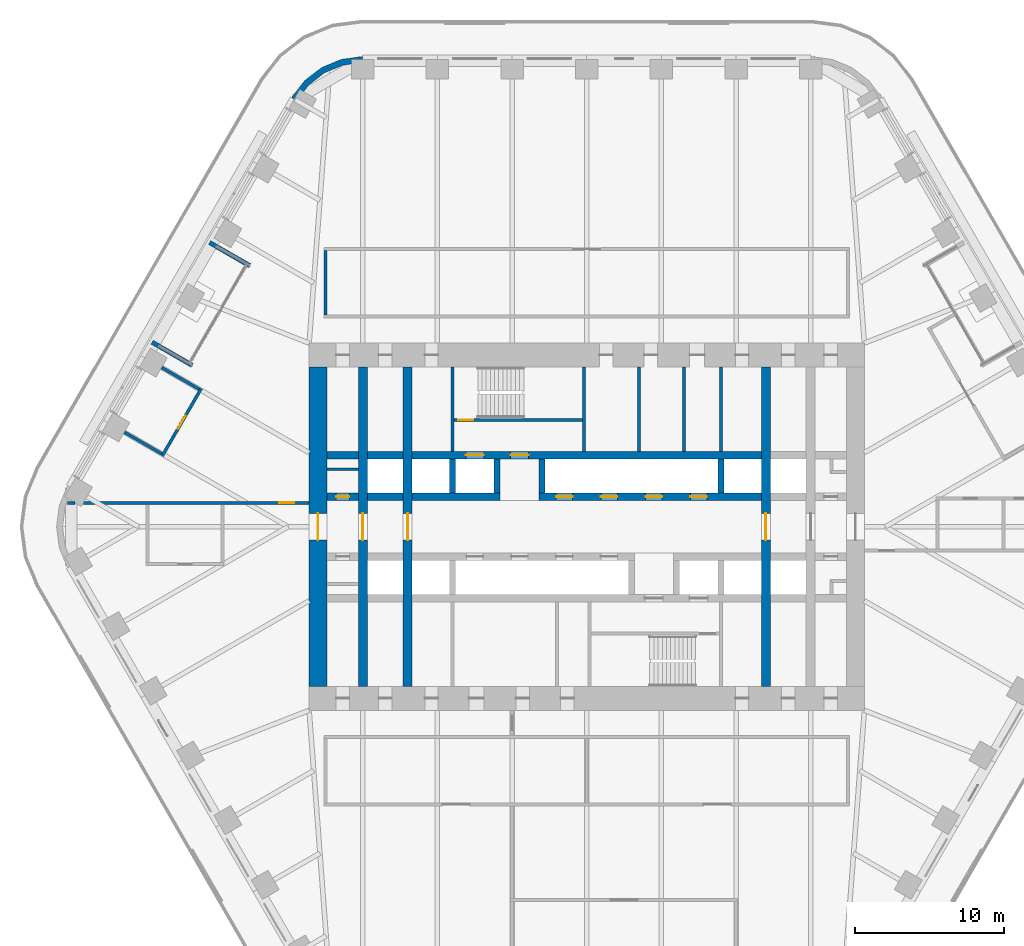
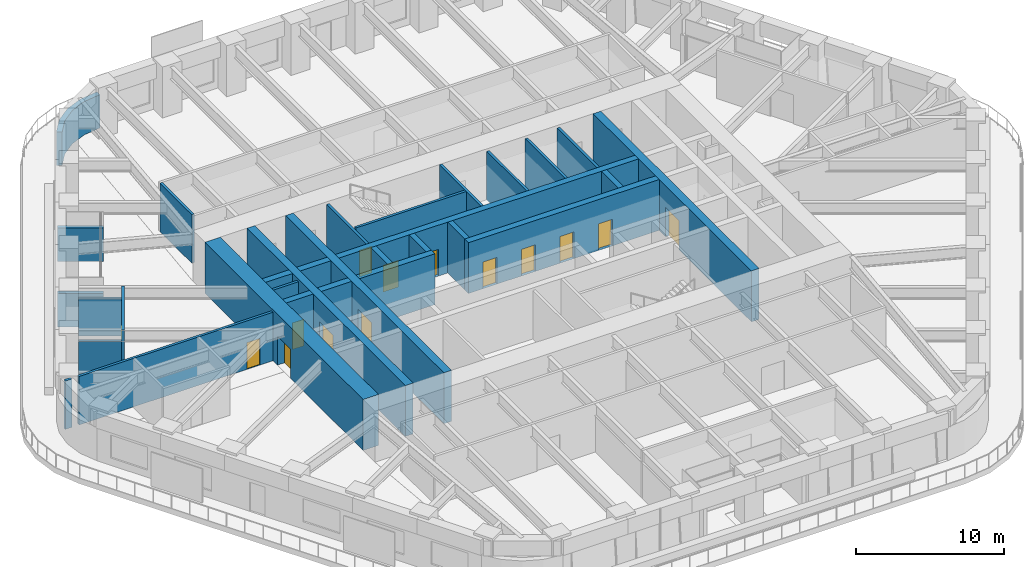
# One storey, part 19 of 24: 31 walls, 14 doors, 14 openings.
"""IFC4 building model written with IfcOpenShell, lengths in metres."""

from ifc_helpers import new_model, si_unit, direction, frame, frame_2d, origin, place, context, subcontext, project, spatial, polyline, rectangle, outline, extrude, material, layer, layer_set, type_object, element, fill, save


model = new_model("IFC4")

# Units and contexts
model_context = context("Model", 3, precision=1e-05, world=origin(), true_north=direction((0.0, 1.0)))
body_context = subcontext(model_context, "Body", "Model", "MODEL_VIEW")
ifc_project = project(units=[si_unit("LENGTHUNIT", "METRE"), si_unit("AREAUNIT", "SQUARE_METRE"), si_unit("VOLUMEUNIT", "CUBIC_METRE"), si_unit("PLANEANGLEUNIT", "RADIAN"), si_unit("MASSUNIT", "GRAM", prefix="KILO")], contexts=[model_context])

# Site, building, storey
site_placement = place(None, origin())
site = spatial("IfcSite", under=ifc_project, at=site_placement, CompositionType="ELEMENT")
building_placement = place(site_placement, origin())
building = spatial("IfcBuilding", under=site, at=building_placement, Name="Tarfa Lantern Tower", CompositionType="ELEMENT")
storey_placement = place(building_placement, frame((0.0, 0.0, 182.5)))
storey = spatial("IfcBuildingStorey", under=building, at=storey_placement, Name="L41", CompositionType="ELEMENT", Elevation=182.5)

# Walls
ifc_material_1 = material(Name="Limestone cladding on blockwork", Category="masonry")
ifc_layer_1 = layer(ifc_material_1, 0.300048828125)
ifc_layer_set_1 = layer_set([ifc_layer_1], Name="EW1 STONE-CLAD WALL 300")
wall_type_1 = type_object("IfcWallType", Name="EW1 STONE-CLAD WALL 300", PredefinedType="SOLIDWALL", material=ifc_layer_set_1)
wall_1_placement = place(storey_placement, frame((-25.266357421875, 19.037353515625, 0.0), z_axis=(0.0, 0.0, 1.0), x_axis=(0.86600983753, -0.500026960575, 0.0)))
element("IfcWall", 1, at=wall_1_placement, inside=storey, type_object=wall_type_1, Name="Loggia return NW 1", PredefinedType="SOLIDWALL", context=body_context, shape_type="SweptSolid", body=[
    extrude(rectangle(XDim=3.099853515625, YDim=0.300048828125, at=frame_2d((1.5498046875, 0.0))), origin(), (0.0, 0.0, 1.0), 2.75),
])
wall_2_placement = place(storey_placement, frame((-29.1201171875, 12.362548828125, 0.0), z_axis=(0.0, 0.0, 1.0), x_axis=(0.86602952684, -0.49999285859, 0.0)))
element("IfcWall", 2, at=wall_2_placement, inside=storey, type_object=wall_type_1, Name="Loggia return NW 2", PredefinedType="SOLIDWALL", context=body_context, shape_type="SweptSolid", body=[
    extrude(rectangle(XDim=3.10009765625, YDim=0.300048828125, at=frame_2d((1.550048828125, 0.0))), origin(), (0.0, 0.0, 1.0), 2.75),
])
ifc_layer_2 = layer(ifc_material_1, 0.39990234375)
ifc_layer_set_2 = layer_set([ifc_layer_2], Name="EW2 CURVED STONE CORNER 400")
wall_type_2 = type_object("IfcWallType", Name="EW2 CURVED STONE CORNER 400", PredefinedType="SOLIDWALL", material=ifc_layer_set_2)
wall_3_placement = place(storey_placement, origin())
element("IfcWall", 3, at=wall_3_placement, inside=storey, type_object=wall_type_2, Name="Stone corner N-NW", PredefinedType="SOLIDWALL", context=body_context, shape_type="SweptSolid", body=[
    extrude(outline(polyline([(-15.010986328125, 31.5), (-16.4345703125, 31.3125), (-17.760986328125, 30.76318359375), (-18.900146484375, 29.88916015625), (-19.774169921875, 28.75), (-19.427734375, 28.550048828125), (-18.617431640625, 29.606201171875), (-17.56103515625, 30.416748046875), (-16.3310546875, 30.92626953125), (-15.010986328125, 31.10009765625), (-15.010986328125, 31.5)])), origin(), (0.0, 0.0, 1.0), 2.75),
])
ifc_material_2 = material(Name="Concrete blockwork", Category="masonry")
ifc_layer_3 = layer(ifc_material_2, 0.199951171875)
ifc_layer_set_3 = layer_set([ifc_layer_3], Name="IW1 BLOCKWORK PARTITION 200 EI 120")
wall_type_3 = type_object("IfcWallType", Name="IW1 BLOCKWORK PARTITION 200 EI 120", PredefinedType="PARTITIONING", material=ifc_layer_set_3)
for number, where, z_axis, x_axis, name in (
    (4, (-9.0, 5.050048828125, 0.0), (0.0, 0.0, 1.0), (0.0, 1.0, 0.0), "Core partition"),
    (5, (9.0, 5.050048828125, 0.0), (0.0, 0.0, 1.0), (0.0, 1.0, 0.0), "Core partition"),
    (6, (3.5, 5.050048828125, 0.0), (0.0, 0.0, 1.0), (0.0, 1.0, 0.0), "Core partition"),
    (7, (6.5, 5.050048828125, 0.0), (0.0, 0.0, 1.0), (0.0, 1.0, 0.0), "Core partition"),
):
    element("IfcWall", number, at=place(storey_placement, frame(where, z_axis=z_axis, x_axis=x_axis)), inside=storey, type_object=wall_type_3, Name=name, PredefinedType="PARTITIONING", context=body_context, shape_type="SweptSolid", body=[
        extrude(rectangle(XDim=5.64990234375, YDim=0.199951171875, at=frame_2d((2.824951171875, 0.0))), origin(), (0.0, 0.0, 1.0), 4.0),
    ])
wall_4_placement = place(storey_placement, frame((-17.39990234375, 3.85009765625, 0.0), z_axis=(0.0, 0.0, 1.0), x_axis=(1.0, 0.0, 0.0)))
element("IfcWall", 8, at=wall_4_placement, inside=storey, type_object=wall_type_3, Name="Core partition", PredefinedType="PARTITIONING", context=body_context, shape_type="SweptSolid", body=[
    extrude(rectangle(XDim=2.099853515625, YDim=0.199951171875, at=frame_2d((1.0498046875, 0.0))), origin(), (0.0, 0.0, 1.0), 4.0),
])
ifc_material_3 = material(Name="Gypsum board on steel studs", Category="steel")
ifc_layer_4 = layer(ifc_material_3, 0.2099609375)
ifc_layer_set_4 = layer_set([ifc_layer_4], Name="IW2 ACOUSTIC PARTITION 200")
wall_type_4 = type_object("IfcWallType", Name="IW2 ACOUSTIC PARTITION 200", PredefinedType="PARTITIONING", material=ifc_layer_set_4)
wall_5_placement = place(storey_placement, frame((-17.5, 14.199951171875, 0.0), z_axis=(0.0, 0.0, 1.0), x_axis=(0.0, 1.0, 0.0)))
element("IfcWall", 9, at=wall_5_placement, inside=storey, type_object=wall_type_4, Name="Partition", PredefinedType="PARTITIONING", context=body_context, shape_type="SweptSolid", body=[
    extrude(rectangle(XDim=4.300048828125, YDim=0.199951171875, at=frame_2d((2.14990234375, 0.0))), origin(), (0.0, 0.0, 1.0), 4.0),
])

# Wall, opening, door
wall_6_placement = place(storey_placement, frame((-25.83447265625, 9.253173828125, 0.0), z_axis=(0.0, 0.0, 1.0), x_axis=(-0.500009456303, -0.866019944116, 0.0)))
wall_6 = element("IfcWall", 10, at=wall_6_placement, inside=storey, type_object=wall_type_4, Name="Partition", PredefinedType="PARTITIONING", context=body_context, shape_type="SweptSolid", body=[
    extrude(rectangle(XDim=5.20361328125, YDim=0.199951171875, at=frame_2d((2.601806640625, 0.0))), origin(), (0.0, 0.0, 1.0), 4.0),
])
opening_1_placement = place(wall_6_placement, frame((2.101806640625, 0.0, 0.0)))
opening_1 = element("IfcOpeningElement", 11, at=opening_1_placement, cuts=wall_6, Name="Opening D34", PredefinedType="OPENING", context=body_context, shape_type="SweptSolid", body=[
    extrude(rectangle(XDim=1.0, YDim=2.199951171875, at=frame_2d((0.5, 1.10009765625))), frame((0.0, 0.10986328125, 0.0), z_axis=(0.0, -1.0, 0.0), x_axis=(1.0, 0.0, 0.0)), (0.0, 0.0, 1.0), 0.219970703125),
])
ifc_material_4 = material(Name="Timber door", Category="wood")
door_type_1 = type_object("IfcDoorType", Name="DR1 ROOM DOOR 1000x2200", OperationType="SINGLE_SWING_LEFT", PredefinedType="DOOR", material=ifc_material_4)
door_1_placement = place(opening_1_placement, frame((1.0, 0.0, 0.0), z_axis=(0.0, 0.0, 1.0), x_axis=(-1.0, 0.0, 0.0)))
door_1 = element("IfcDoor", 12, at=door_1_placement, inside=storey, type_object=door_type_1, Name="Brand studio door", OperationType="SINGLE_SWING_RIGHT", OverallHeight=2.199951171875, OverallWidth=1.0, PredefinedType="DOOR", context=body_context, shape_type="SweptSolid", body=[
    extrude(rectangle(XDim=1.0, YDim=2.199951171875, at=frame_2d((0.5, 1.10009765625))), frame((0.0, 0.02490234375, 0.0), z_axis=(0.0, -1.0, 0.0), x_axis=(1.0, 0.0, 0.0)), (0.0, 0.0, 1.0), 0.050048828125),
])
fill(opening_1, door_1)

# Walls
wall_7_placement = place(storey_placement, frame((-25.97119140625, 9.216552734375, 0.0), z_axis=(0.0, 0.0, 1.0), x_axis=(-0.865996321171, 0.50005036918, 0.0)))
element("IfcWall", 13, at=wall_7_placement, inside=storey, type_object=wall_type_4, Name="Partition", PredefinedType="PARTITIONING", context=body_context, shape_type="SweptSolid", body=[
    extrude(rectangle(XDim=2.900146484375, YDim=0.199951171875, at=frame_2d((1.4501953125, 0.0))), origin(), (0.0, 0.0, 1.0), 3.08154296875),
])
wall_8_placement = place(storey_placement, frame((-28.472900390625, 4.88330078125, 0.0), z_axis=(0.0, 0.0, 1.0), x_axis=(-0.866032775405, 0.499987231761, 0.0)))
element("IfcWall", 14, at=wall_8_placement, inside=storey, type_object=wall_type_4, Name="Partition", PredefinedType="PARTITIONING", context=body_context, shape_type="SweptSolid", body=[
    extrude(rectangle(XDim=2.89990234375, YDim=0.199951171875, at=frame_2d((1.449951171875, 0.0))), origin(), (0.0, 0.0, 1.0), 3.08154296875),
])

# Wall, opening, door
wall_9_placement = place(storey_placement, frame((-18.60009765625, 1.60009765625, 0.0), z_axis=(0.0, 0.0, 1.0), x_axis=(-1.0, 0.0, 0.0)))
wall_9 = element("IfcWall", 15, at=wall_9_placement, inside=storey, type_object=wall_type_4, Name="Partition", PredefinedType="PARTITIONING", context=body_context, shape_type="SweptSolid", body=[
    extrude(rectangle(XDim=15.1171875, YDim=0.199951171875, at=frame_2d((7.55859375, 0.0))), origin(), (0.0, 0.0, 1.0), 4.0),
])
opening_2_placement = place(wall_9_placement, frame((1.01171875, 0.0, 0.0)))
opening_2 = element("IfcOpeningElement", 16, at=opening_2_placement, cuts=wall_9, Name="Opening D44", PredefinedType="OPENING", context=body_context, shape_type="SweptSolid", body=[
    extrude(rectangle(XDim=1.0, YDim=2.199951171875, at=frame_2d((0.5, 1.10009765625))), frame((0.0, 0.10986328125, 0.0), z_axis=(0.0, -1.0, 0.0), x_axis=(1.0, 0.0, 0.0)), (0.0, 0.0, 1.0), 0.219970703125),
])
door_2_placement = place(opening_2_placement, origin())
door_2 = element("IfcDoor", 17, at=door_2_placement, inside=storey, type_object=door_type_1, Name="Zone door", OperationType="SINGLE_SWING_RIGHT", OverallHeight=2.199951171875, OverallWidth=1.0, PredefinedType="DOOR", context=body_context, shape_type="SweptSolid", body=[
    extrude(rectangle(XDim=1.0, YDim=2.199951171875, at=frame_2d((0.5, 1.10009765625))), frame((0.0, 0.02490234375, 0.0), z_axis=(0.0, -1.0, 0.0), x_axis=(1.0, 0.0, 0.0)), (0.0, 0.0, 1.0), 0.050048828125),
])
fill(opening_2, door_2)

# Wall
wall_10_placement = place(storey_placement, frame((-34.29345703125, 1.60009765625, 0.0), z_axis=(0.0, 0.0, 1.0), x_axis=(-1.0, 0.0, 0.0)))
element("IfcWall", 18, at=wall_10_placement, inside=storey, type_object=wall_type_4, Name="Partition", PredefinedType="PARTITIONING", context=body_context, shape_type="SweptSolid", body=[
    extrude(rectangle(XDim=0.497802734375, YDim=0.199951171875, at=frame_2d((0.2490234375, 0.0))), origin(), (0.0, 0.0, 1.0), 4.0),
])

# Wall, opening, door
ifc_material_5 = material(Name="Concrete C80/95", Category="concrete")
ifc_layer_5 = layer(ifc_material_5, 1.199951171875)
ifc_layer_set_5 = layer_set([ifc_layer_5], Name="SW1 CORE WALL 1200")
wall_type_5 = type_object("IfcWallType", Name="SW1 CORE WALL 1200", PredefinedType="SHEAR", material=ifc_layer_set_5)
wall_11_placement = place(storey_placement, frame((-18.0, 10.699951171875, 0.0), z_axis=(0.0, 0.0, 1.0), x_axis=(0.0, -1.0, 0.0)))
wall_11 = element("IfcWall", 19, at=wall_11_placement, inside=storey, type_object=wall_type_5, Name="Core wall W", PredefinedType="SHEAR", context=body_context, shape_type="SweptSolid", body=[
    extrude(rectangle(XDim=21.39990234375, YDim=1.199951171875, at=frame_2d((10.699951171875, 0.0))), origin(), (0.0, 0.0, 1.0), 4.199951171875),
])
opening_3_placement = place(wall_11_placement, frame((9.800048828125, 0.0, 0.0)))
opening_3 = element("IfcOpeningElement", 20, at=opening_3_placement, cuts=wall_11, Name="Opening D16", PredefinedType="OPENING", context=body_context, shape_type="SweptSolid", body=[
    extrude(rectangle(XDim=1.800048828125, YDim=2.39990234375, at=frame_2d((0.89990234375, 1.199951171875))), frame((0.0, 0.60986328125, 0.0), z_axis=(0.0, -1.0, 0.0), x_axis=(1.0, 0.0, 0.0)), (0.0, 0.0, 1.0), 1.219970703125),
])
ifc_material_6 = material(Name="Steel fire door", Category="steel")
door_type_2 = type_object("IfcDoorType", Name="DL1 LOBBY DOOR 1800x2400", OperationType="DOUBLE_DOOR_SINGLE_SWING", PredefinedType="DOOR", material=ifc_material_6)
door_3_placement = place(opening_3_placement, frame((1.800048828125, 0.0, 0.0), z_axis=(0.0, 0.0, 1.0), x_axis=(-1.0, 0.0, 0.0)))
door_3 = element("IfcDoor", 21, at=door_3_placement, inside=storey, type_object=door_type_2, Name="Lift lobby door", OperationType="DOUBLE_DOOR_SINGLE_SWING", OverallHeight=2.39990234375, OverallWidth=1.800048828125, PredefinedType="DOOR", context=body_context, shape_type="SweptSolid", body=[
    extrude(rectangle(XDim=1.800048828125, YDim=2.39990234375, at=frame_2d((0.89990234375, 1.199951171875))), frame((0.0, 0.02490234375, 0.0), z_axis=(0.0, -1.0, 0.0), x_axis=(1.0, 0.0, 0.0)), (0.0, 0.0, 1.0), 0.050048828125),
])
fill(opening_3, door_3)

# Wall
ifc_layer_6 = layer(ifc_material_5, 0.199951171875)
ifc_layer_set_6 = layer_set([ifc_layer_6], Name="SW12 CORE WALL 200")
wall_type_6 = type_object("IfcWallType", Name="SW12 CORE WALL 200", PredefinedType="SHEAR", material=ifc_layer_set_6)
wall_12_placement = place(storey_placement, frame((-0.199951171875, 5.050048828125, 0.0), z_axis=(0.0, 0.0, 1.0), x_axis=(0.0, 1.0, 0.0)))
element("IfcWall", 22, at=wall_12_placement, inside=storey, type_object=wall_type_6, Name="Core wall stair shaft N", PredefinedType="SHEAR", context=body_context, shape_type="SweptSolid", body=[
    extrude(rectangle(XDim=5.64990234375, YDim=0.199951171875, at=frame_2d((2.824951171875, 0.0))), origin(), (0.0, 0.0, 1.0), 4.199951171875),
])

# Wall, opening, door
wall_13_placement = place(storey_placement, frame((-8.89990234375, 7.14990234375, 0.0), z_axis=(0.0, 0.0, 1.0), x_axis=(1.0, 0.0, 0.0)))
wall_13 = element("IfcWall", 23, at=wall_13_placement, inside=storey, type_object=wall_type_6, Name="Core wall stair partition N", PredefinedType="SHEAR", context=body_context, shape_type="SweptSolid", body=[
    extrude(rectangle(XDim=8.599853515625, YDim=0.199951171875, at=frame_2d((4.2998046875, 0.0))), origin(), (0.0, 0.0, 1.0), 4.199951171875),
])
opening_4_placement = place(wall_13_placement, frame((0.300048828125, 0.0, 0.0)))
opening_4 = element("IfcOpeningElement", 24, at=opening_4_placement, cuts=wall_13, Name="Opening D27", PredefinedType="OPENING", context=body_context, shape_type="SweptSolid", body=[
    extrude(rectangle(XDim=1.0, YDim=2.199951171875, at=frame_2d((0.5, 1.10009765625))), frame((0.0, 0.10986328125, 0.0), z_axis=(0.0, -1.0, 0.0), x_axis=(1.0, 0.0, 0.0)), (0.0, 0.0, 1.0), 0.219970703125),
])
door_type_3 = type_object("IfcDoorType", Name="DF2 STAIR DOOR 1000x2200", OperationType="SINGLE_SWING_LEFT", PredefinedType="DOOR", material=ifc_material_6)
door_4_placement = place(opening_4_placement, origin())
door_4 = element("IfcDoor", 25, at=door_4_placement, inside=storey, type_object=door_type_3, Name="Stair door", OperationType="SINGLE_SWING_RIGHT", OverallHeight=2.199951171875, OverallWidth=1.0, PredefinedType="DOOR", context=body_context, shape_type="SweptSolid", body=[
    extrude(rectangle(XDim=1.0, YDim=2.199951171875, at=frame_2d((0.5, 1.10009765625))), frame((0.0, 0.02490234375, 0.0), z_axis=(0.0, -1.0, 0.0), x_axis=(1.0, 0.0, 0.0)), (0.0, 0.0, 1.0), 0.050048828125),
])
fill(opening_4, door_4)

ifc_layer_7 = layer(ifc_material_5, 0.5)
ifc_layer_set_7 = layer_set([ifc_layer_7], Name="SW5 CORE WALL 500")
wall_type_7 = type_object("IfcWallType", Name="SW5 CORE WALL 500", PredefinedType="SHEAR", material=ifc_layer_set_7)
wall_14_placement = place(storey_placement, frame((-17.39990234375, 2.0, 0.0), z_axis=(0.0, 0.0, 1.0), x_axis=(1.0, 0.0, 0.0)))
wall_14 = element("IfcWall", 26, at=wall_14_placement, inside=storey, type_object=wall_type_7, Name="Core wall lobby west N", PredefinedType="SHEAR", context=body_context, shape_type="SweptSolid", body=[
    extrude(rectangle(XDim=2.099853515625, YDim=0.5, at=frame_2d((1.0498046875, 0.0))), origin(), (0.0, 0.0, 1.0), 4.199951171875),
])
opening_5_placement = place(wall_14_placement, frame((0.60009765625, 0.0, 0.0)))
opening_5 = element("IfcOpeningElement", 27, at=opening_5_placement, cuts=wall_14, Name="Opening D19", PredefinedType="OPENING", context=body_context, shape_type="SweptSolid", body=[
    extrude(rectangle(XDim=0.89990234375, YDim=2.199951171875, at=frame_2d((0.449951171875, 1.10009765625))), frame((0.0, 0.260009765625, 0.0), z_axis=(0.0, -1.0, 0.0), x_axis=(1.0, 0.0, 0.0)), (0.0, 0.0, 1.0), 0.52001953125),
])
door_type_4 = type_object("IfcDoorType", Name="DF6 SERVICE ROOM DOOR 900x2200", OperationType="SINGLE_SWING_LEFT", PredefinedType="DOOR", material=ifc_material_6)
door_5_placement = place(opening_5_placement, origin())
door_5 = element("IfcDoor", 28, at=door_5_placement, inside=storey, type_object=door_type_4, Name="Service room door", OperationType="SINGLE_SWING_LEFT", OverallHeight=2.199951171875, OverallWidth=0.89990234375, PredefinedType="DOOR", context=body_context, shape_type="SweptSolid", body=[
    extrude(rectangle(XDim=0.89990234375, YDim=2.199951171875, at=frame_2d((0.449951171875, 1.10009765625))), frame((0.0, 0.02490234375, 0.0), z_axis=(0.0, -1.0, 0.0), x_axis=(1.0, 0.0, 0.0)), (0.0, 0.0, 1.0), 0.050048828125),
])
fill(opening_5, door_5)

# Walls
wall_15_placement = place(storey_placement, frame((-14.699951171875, 2.0, 0.0), z_axis=(0.0, 0.0, 1.0), x_axis=(1.0, 0.0, 0.0)))
element("IfcWall", 29, at=wall_15_placement, inside=storey, type_object=wall_type_7, Name="Core wall lobby west N", PredefinedType="SHEAR", context=body_context, shape_type="SweptSolid", body=[
    extrude(rectangle(XDim=2.39990234375, YDim=0.5, at=frame_2d((1.199951171875, 0.0))), origin(), (0.0, 0.0, 1.0), 4.199951171875),
])
wall_16_placement = place(storey_placement, frame((-11.699951171875, 2.0, 0.0), z_axis=(0.0, 0.0, 1.0), x_axis=(1.0, 0.0, 0.0)))
element("IfcWall", 30, at=wall_16_placement, inside=storey, type_object=wall_type_7, Name="Core wall lobby west N", PredefinedType="SHEAR", context=body_context, shape_type="SweptSolid", body=[
    extrude(rectangle(XDim=5.89990234375, YDim=0.5, at=frame_2d((2.949951171875, 0.0))), origin(), (0.0, 0.0, 1.0), 4.199951171875),
])

# Wall, openings, doors
wall_17_placement = place(storey_placement, frame((-3.199951171875, 2.0, 0.0), z_axis=(0.0, 0.0, 1.0), x_axis=(1.0, 0.0, 0.0)))
wall_17 = element("IfcWall", 31, at=wall_17_placement, inside=storey, type_object=wall_type_7, Name="Core wall lobby east N", PredefinedType="SHEAR", context=body_context, shape_type="SweptSolid", body=[
    extrude(rectangle(XDim=14.89990234375, YDim=0.5, at=frame_2d((7.449951171875, 0.0))), origin(), (0.0, 0.0, 1.0), 4.199951171875),
])
opening_6_placement = place(wall_17_placement, frame((1.14990234375, 0.0, 0.0)))
opening_6 = element("IfcOpeningElement", 32, at=opening_6_placement, cuts=wall_17, Name="Opening LD03", PredefinedType="OPENING", context=body_context, shape_type="SweptSolid", body=[
    extrude(rectangle(XDim=1.10009765625, YDim=2.199951171875, at=frame_2d((0.550048828125, 1.10009765625))), frame((0.0, 0.260009765625, 0.0), z_axis=(0.0, -1.0, 0.0), x_axis=(1.0, 0.0, 0.0)), (0.0, 0.0, 1.0), 0.52001953125),
])
opening_7_placement = place(wall_17_placement, frame((4.14990234375, 0.0, 0.0)))
opening_7 = element("IfcOpeningElement", 33, at=opening_7_placement, cuts=wall_17, Name="Opening LD04", PredefinedType="OPENING", context=body_context, shape_type="SweptSolid", body=[
    extrude(rectangle(XDim=1.10009765625, YDim=2.199951171875, at=frame_2d((0.550048828125, 1.10009765625))), frame((0.0, 0.260009765625, 0.0), z_axis=(0.0, -1.0, 0.0), x_axis=(1.0, 0.0, 0.0)), (0.0, 0.0, 1.0), 0.52001953125),
])
opening_8_placement = place(wall_17_placement, frame((7.14990234375, 0.0, 0.0)))
opening_8 = element("IfcOpeningElement", 34, at=opening_8_placement, cuts=wall_17, Name="Opening LD05", PredefinedType="OPENING", context=body_context, shape_type="SweptSolid", body=[
    extrude(rectangle(XDim=1.10009765625, YDim=2.199951171875, at=frame_2d((0.550048828125, 1.10009765625))), frame((0.0, 0.260009765625, 0.0), z_axis=(0.0, -1.0, 0.0), x_axis=(1.0, 0.0, 0.0)), (0.0, 0.0, 1.0), 0.52001953125),
])
opening_9_placement = place(wall_17_placement, frame((10.14990234375, 0.0, 0.0)))
opening_9 = element("IfcOpeningElement", 35, at=opening_9_placement, cuts=wall_17, Name="Opening LD06", PredefinedType="OPENING", context=body_context, shape_type="SweptSolid", body=[
    extrude(rectangle(XDim=1.10009765625, YDim=2.199951171875, at=frame_2d((0.550048828125, 1.10009765625))), frame((0.0, 0.260009765625, 0.0), z_axis=(0.0, -1.0, 0.0), x_axis=(1.0, 0.0, 0.0)), (0.0, 0.0, 1.0), 0.52001953125),
])
ifc_material_7 = material(Name="Stainless steel lift door", Category="steel")
door_type_5 = type_object("IfcDoorType", Name="LD2 LIFT LANDING DOOR 1100x2200", OperationType="SLIDING_TO_LEFT", PredefinedType="DOOR", material=ifc_material_7)
door_6_placement = place(opening_6_placement, frame((1.10009765625, 0.0, 0.0), z_axis=(0.0, 0.0, 1.0), x_axis=(-1.0, 0.0, 0.0)))
door_6 = element("IfcDoor", 36, at=door_6_placement, inside=storey, type_object=door_type_5, Name="Landing door PB1", OperationType="SLIDING_TO_LEFT", OverallHeight=2.199951171875, OverallWidth=1.10009765625, PredefinedType="DOOR", context=body_context, shape_type="SweptSolid", body=[
    extrude(rectangle(XDim=1.10009765625, YDim=2.199951171875, at=frame_2d((0.550048828125, 1.10009765625))), frame((0.0, 0.02490234375, 0.0), z_axis=(0.0, -1.0, 0.0), x_axis=(1.0, 0.0, 0.0)), (0.0, 0.0, 1.0), 0.050048828125),
])
fill(opening_6, door_6)
door_7_placement = place(opening_7_placement, frame((1.10009765625, 0.0, 0.0), z_axis=(0.0, 0.0, 1.0), x_axis=(-1.0, 0.0, 0.0)))
door_7 = element("IfcDoor", 37, at=door_7_placement, inside=storey, type_object=door_type_5, Name="Landing door PB2", OperationType="SLIDING_TO_LEFT", OverallHeight=2.199951171875, OverallWidth=1.10009765625, PredefinedType="DOOR", context=body_context, shape_type="SweptSolid", body=[
    extrude(rectangle(XDim=1.10009765625, YDim=2.199951171875, at=frame_2d((0.550048828125, 1.10009765625))), frame((0.0, 0.02490234375, 0.0), z_axis=(0.0, -1.0, 0.0), x_axis=(1.0, 0.0, 0.0)), (0.0, 0.0, 1.0), 0.050048828125),
])
fill(opening_7, door_7)
door_8_placement = place(opening_8_placement, frame((1.10009765625, 0.0, 0.0), z_axis=(0.0, 0.0, 1.0), x_axis=(-1.0, 0.0, 0.0)))
door_8 = element("IfcDoor", 38, at=door_8_placement, inside=storey, type_object=door_type_5, Name="Landing door PB3", OperationType="SLIDING_TO_LEFT", OverallHeight=2.199951171875, OverallWidth=1.10009765625, PredefinedType="DOOR", context=body_context, shape_type="SweptSolid", body=[
    extrude(rectangle(XDim=1.10009765625, YDim=2.199951171875, at=frame_2d((0.550048828125, 1.10009765625))), frame((0.0, 0.02490234375, 0.0), z_axis=(0.0, -1.0, 0.0), x_axis=(1.0, 0.0, 0.0)), (0.0, 0.0, 1.0), 0.050048828125),
])
fill(opening_8, door_8)
door_9_placement = place(opening_9_placement, frame((1.10009765625, 0.0, 0.0), z_axis=(0.0, 0.0, 1.0), x_axis=(-1.0, 0.0, 0.0)))
door_9 = element("IfcDoor", 39, at=door_9_placement, inside=storey, type_object=door_type_5, Name="Landing door PB4", OperationType="SLIDING_TO_LEFT", OverallHeight=2.199951171875, OverallWidth=1.10009765625, PredefinedType="DOOR", context=body_context, shape_type="SweptSolid", body=[
    extrude(rectangle(XDim=1.10009765625, YDim=2.199951171875, at=frame_2d((0.550048828125, 1.10009765625))), frame((0.0, 0.02490234375, 0.0), z_axis=(0.0, -1.0, 0.0), x_axis=(1.0, 0.0, 0.0)), (0.0, 0.0, 1.0), 0.050048828125),
])
fill(opening_9, door_9)

# Walls
wall_18_placement = place(storey_placement, frame((-17.39990234375, 4.800048828125, 0.0), z_axis=(0.0, 0.0, 1.0), x_axis=(1.0, 0.0, 0.0)))
element("IfcWall", 40, at=wall_18_placement, inside=storey, type_object=wall_type_7, Name="Core wall rear N", PredefinedType="SHEAR", context=body_context, shape_type="SweptSolid", body=[
    extrude(rectangle(XDim=2.099853515625, YDim=0.5, at=frame_2d((1.0498046875, 0.0))), origin(), (0.0, 0.0, 1.0), 4.199951171875),
])
wall_19_placement = place(storey_placement, frame((-14.699951171875, 4.800048828125, 0.0), z_axis=(0.0, 0.0, 1.0), x_axis=(1.0, 0.0, 0.0)))
element("IfcWall", 41, at=wall_19_placement, inside=storey, type_object=wall_type_7, Name="Core wall rear N", PredefinedType="SHEAR", context=body_context, shape_type="SweptSolid", body=[
    extrude(rectangle(XDim=2.39990234375, YDim=0.5, at=frame_2d((1.199951171875, 0.0))), origin(), (0.0, 0.0, 1.0), 4.199951171875),
])

# Wall, openings, doors
wall_20_placement = place(storey_placement, frame((-11.699951171875, 4.800048828125, 0.0), z_axis=(0.0, 0.0, 1.0), x_axis=(1.0, 0.0, 0.0)))
wall_20 = element("IfcWall", 42, at=wall_20_placement, inside=storey, type_object=wall_type_7, Name="Core wall rear N", PredefinedType="SHEAR", context=body_context, shape_type="SweptSolid", body=[
    extrude(rectangle(XDim=23.39990234375, YDim=0.5, at=frame_2d((11.699951171875, 0.0))), origin(), (0.0, 0.0, 1.0), 4.199951171875),
])
opening_10_placement = place(wall_20_placement, frame((6.60009765625, 0.0, 0.0)))
opening_10 = element("IfcOpeningElement", 43, at=opening_10_placement, cuts=wall_20, Name="Opening D13", PredefinedType="OPENING", context=body_context, shape_type="SweptSolid", body=[
    extrude(rectangle(XDim=1.199951171875, YDim=2.199951171875, at=frame_2d((0.60009765625, 1.10009765625))), frame((0.0, 0.260009765625, 0.0), z_axis=(0.0, -1.0, 0.0), x_axis=(1.0, 0.0, 0.0)), (0.0, 0.0, 1.0), 0.52001953125),
])
opening_11_placement = place(wall_20_placement, frame((3.60009765625, 0.0, 0.0)))
opening_11 = element("IfcOpeningElement", 44, at=opening_11_placement, cuts=wall_20, Name="Opening LD01", PredefinedType="OPENING", context=body_context, shape_type="SweptSolid", body=[
    extrude(rectangle(XDim=1.199951171875, YDim=2.199951171875, at=frame_2d((0.60009765625, 1.10009765625))), frame((0.0, 0.260009765625, 0.0), z_axis=(0.0, -1.0, 0.0), x_axis=(1.0, 0.0, 0.0)), (0.0, 0.0, 1.0), 0.52001953125),
])
door_type_6 = type_object("IfcDoorType", Name="DF1 FIREFIGHTING LOBBY DOOR 1200x2200", OperationType="SINGLE_SWING_LEFT", PredefinedType="DOOR", material=ifc_material_6)
door_10_placement = place(opening_10_placement, origin())
door_10 = element("IfcDoor", 45, at=door_10_placement, inside=storey, type_object=door_type_6, Name="Firefighting lobby door", OperationType="SINGLE_SWING_LEFT", OverallHeight=2.199951171875, OverallWidth=1.199951171875, PredefinedType="DOOR", context=body_context, shape_type="SweptSolid", body=[
    extrude(rectangle(XDim=1.199951171875, YDim=2.199951171875, at=frame_2d((0.60009765625, 1.10009765625))), frame((0.0, 0.02490234375, 0.0), z_axis=(0.0, -1.0, 0.0), x_axis=(1.0, 0.0, 0.0)), (0.0, 0.0, 1.0), 0.050048828125),
])
fill(opening_10, door_10)
door_type_7 = type_object("IfcDoorType", Name="LD1 LIFT LANDING DOOR 1200x2200", OperationType="SLIDING_TO_LEFT", PredefinedType="DOOR", material=ifc_material_7)
door_11_placement = place(opening_11_placement, origin())
door_11 = element("IfcDoor", 46, at=door_11_placement, inside=storey, type_object=door_type_7, Name="Landing door FL1", OperationType="SLIDING_TO_LEFT", OverallHeight=2.199951171875, OverallWidth=1.199951171875, PredefinedType="DOOR", context=body_context, shape_type="SweptSolid", body=[
    extrude(rectangle(XDim=1.199951171875, YDim=2.199951171875, at=frame_2d((0.60009765625, 1.10009765625))), frame((0.0, 0.02490234375, 0.0), z_axis=(0.0, -1.0, 0.0), x_axis=(1.0, 0.0, 0.0)), (0.0, 0.0, 1.0), 0.050048828125),
])
fill(opening_11, door_11)

# Walls
ifc_layer_8 = layer(ifc_material_5, 0.39990234375)
ifc_layer_set_8 = layer_set([ifc_layer_8], Name="SW6 CORE WALL 400")
wall_type_8 = type_object("IfcWallType", Name="SW6 CORE WALL 400", PredefinedType="SHEAR", material=ifc_layer_set_8)
for number, where, z_axis, x_axis, name in (
    (47, (-9.0, 2.25, 0.0), (0.0, 0.0, 1.0), (0.0, 1.0, 0.0), "Core wall divider N"),
    (48, (-6.0, 2.25, 0.0), (0.0, 0.0, 1.0), (0.0, 1.0, 0.0), "Core wall divider N"),
    (49, (-3.0, 2.25, 0.0), (0.0, 0.0, 1.0), (0.0, 1.0, 0.0), "Core wall divider N"),
    (50, (9.0, 2.25, 0.0), (0.0, 0.0, 1.0), (0.0, 1.0, 0.0), "Core wall divider N"),
):
    element("IfcWall", number, at=place(storey_placement, frame(where, z_axis=z_axis, x_axis=x_axis)), inside=storey, type_object=wall_type_8, Name=name, PredefinedType="SHEAR", context=body_context, shape_type="SweptSolid", body=[
        extrude(rectangle(XDim=2.300048828125, YDim=0.39990234375, at=frame_2d((1.14990234375, 0.0))), origin(), (0.0, 0.0, 1.0), 4.199951171875),
    ])

# Wall, opening, door
ifc_layer_9 = layer(ifc_material_5, 0.60009765625)
ifc_layer_set_9 = layer_set([ifc_layer_9], Name="SW9 CORE WALL 600")
wall_type_9 = type_object("IfcWallType", Name="SW9 CORE WALL 600", PredefinedType="SHEAR", material=ifc_layer_set_9)
wall_21_placement = place(storey_placement, frame((12.0, -10.699951171875, 0.0), z_axis=(0.0, 0.0, 1.0), x_axis=(0.0, 1.0, 0.0)))
wall_21 = element("IfcWall", 51, at=wall_21_placement, inside=storey, type_object=wall_type_9, Name="Core wall cross 12 m east", PredefinedType="SHEAR", context=body_context, shape_type="SweptSolid", body=[
    extrude(rectangle(XDim=21.39990234375, YDim=0.60009765625, at=frame_2d((10.699951171875, 0.0))), origin(), (0.0, 0.0, 1.0), 4.199951171875),
])
opening_12_placement = place(wall_21_placement, frame((9.800048828125, 0.0, 0.0)))
opening_12 = element("IfcOpeningElement", 52, at=opening_12_placement, cuts=wall_21, Name="Opening D29", PredefinedType="OPENING", context=body_context, shape_type="SweptSolid", body=[
    extrude(rectangle(XDim=1.800048828125, YDim=2.39990234375, at=frame_2d((0.89990234375, 1.199951171875))), frame((0.0, 0.31005859375, 0.0), z_axis=(0.0, -1.0, 0.0), x_axis=(1.0, 0.0, 0.0)), (0.0, 0.0, 1.0), 0.6201171875),
])
door_12_placement = place(opening_12_placement, origin())
door_12 = element("IfcDoor", 53, at=door_12_placement, inside=storey, type_object=door_type_2, Name="Lift lobby door", OperationType="DOUBLE_DOOR_SINGLE_SWING", OverallHeight=2.39990234375, OverallWidth=1.800048828125, PredefinedType="DOOR", context=body_context, shape_type="SweptSolid", body=[
    extrude(rectangle(XDim=1.800048828125, YDim=2.39990234375, at=frame_2d((0.89990234375, 1.199951171875))), frame((0.0, 0.02490234375, 0.0), z_axis=(0.0, -1.0, 0.0), x_axis=(1.0, 0.0, 0.0)), (0.0, 0.0, 1.0), 0.050048828125),
])
fill(opening_12, door_12)

wall_22_placement = place(storey_placement, frame((-12.0, -10.699951171875, 0.0), z_axis=(0.0, 0.0, 1.0), x_axis=(0.0, 1.0, 0.0)))
wall_22 = element("IfcWall", 54, at=wall_22_placement, inside=storey, type_object=wall_type_9, Name="Core wall cross 12 m west", PredefinedType="SHEAR", context=body_context, shape_type="SweptSolid", body=[
    extrude(rectangle(XDim=21.39990234375, YDim=0.60009765625, at=frame_2d((10.699951171875, 0.0))), origin(), (0.0, 0.0, 1.0), 4.199951171875),
])
opening_13_placement = place(wall_22_placement, frame((9.800048828125, 0.0, 0.0)))
opening_13 = element("IfcOpeningElement", 55, at=opening_13_placement, cuts=wall_22, Name="Opening D31", PredefinedType="OPENING", context=body_context, shape_type="SweptSolid", body=[
    extrude(rectangle(XDim=1.800048828125, YDim=2.39990234375, at=frame_2d((0.89990234375, 1.199951171875))), frame((0.0, 0.31005859375, 0.0), z_axis=(0.0, -1.0, 0.0), x_axis=(1.0, 0.0, 0.0)), (0.0, 0.0, 1.0), 0.6201171875),
])
door_13_placement = place(opening_13_placement, origin())
door_13 = element("IfcDoor", 56, at=door_13_placement, inside=storey, type_object=door_type_2, Name="Lift lobby door", OperationType="DOUBLE_DOOR_SINGLE_SWING", OverallHeight=2.39990234375, OverallWidth=1.800048828125, PredefinedType="DOOR", context=body_context, shape_type="SweptSolid", body=[
    extrude(rectangle(XDim=1.800048828125, YDim=2.39990234375, at=frame_2d((0.89990234375, 1.199951171875))), frame((0.0, 0.02490234375, 0.0), z_axis=(0.0, -1.0, 0.0), x_axis=(1.0, 0.0, 0.0)), (0.0, 0.0, 1.0), 0.050048828125),
])
fill(opening_13, door_13)

wall_23_placement = place(storey_placement, frame((-15.0, -10.699951171875, 0.0), z_axis=(0.0, 0.0, 1.0), x_axis=(0.0, 1.0, 0.0)))
wall_23 = element("IfcWall", 57, at=wall_23_placement, inside=storey, type_object=wall_type_9, Name="Core wall cross 15 m west", PredefinedType="SHEAR", context=body_context, shape_type="SweptSolid", body=[
    extrude(rectangle(XDim=21.39990234375, YDim=0.60009765625, at=frame_2d((10.699951171875, 0.0))), origin(), (0.0, 0.0, 1.0), 4.199951171875),
])
opening_14_placement = place(wall_23_placement, frame((9.800048828125, 0.0, 0.0)))
opening_14 = element("IfcOpeningElement", 58, at=opening_14_placement, cuts=wall_23, Name="Opening D32", PredefinedType="OPENING", context=body_context, shape_type="SweptSolid", body=[
    extrude(rectangle(XDim=1.800048828125, YDim=2.39990234375, at=frame_2d((0.89990234375, 1.199951171875))), frame((0.0, 0.31005859375, 0.0), z_axis=(0.0, -1.0, 0.0), x_axis=(1.0, 0.0, 0.0)), (0.0, 0.0, 1.0), 0.6201171875),
])
door_14_placement = place(opening_14_placement, origin())
door_14 = element("IfcDoor", 59, at=door_14_placement, inside=storey, type_object=door_type_2, Name="Lift lobby door", OperationType="DOUBLE_DOOR_SINGLE_SWING", OverallHeight=2.39990234375, OverallWidth=1.800048828125, PredefinedType="DOOR", context=body_context, shape_type="SweptSolid", body=[
    extrude(rectangle(XDim=1.800048828125, YDim=2.39990234375, at=frame_2d((0.89990234375, 1.199951171875))), frame((0.0, 0.02490234375, 0.0), z_axis=(0.0, -1.0, 0.0), x_axis=(1.0, 0.0, 0.0)), (0.0, 0.0, 1.0), 0.050048828125),
])
fill(opening_14, door_14)

save(model, "model.ifc")
